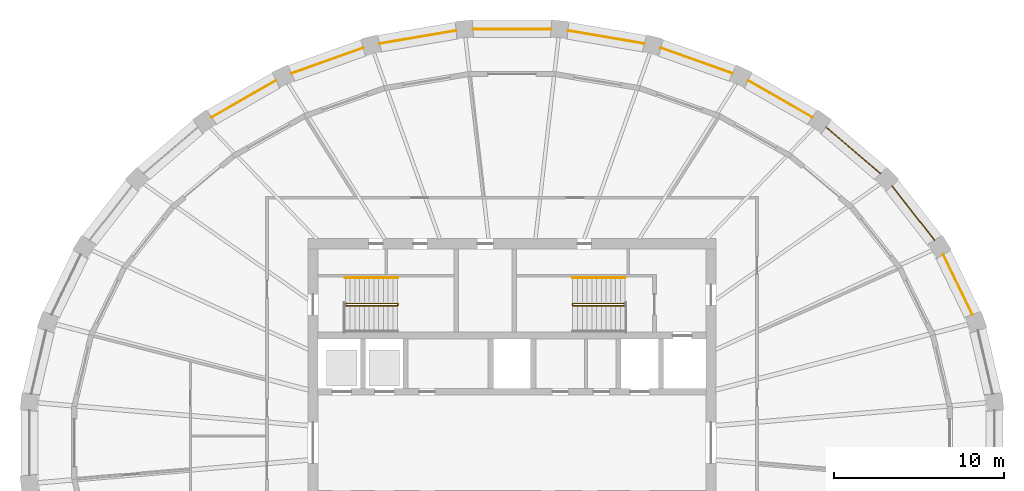
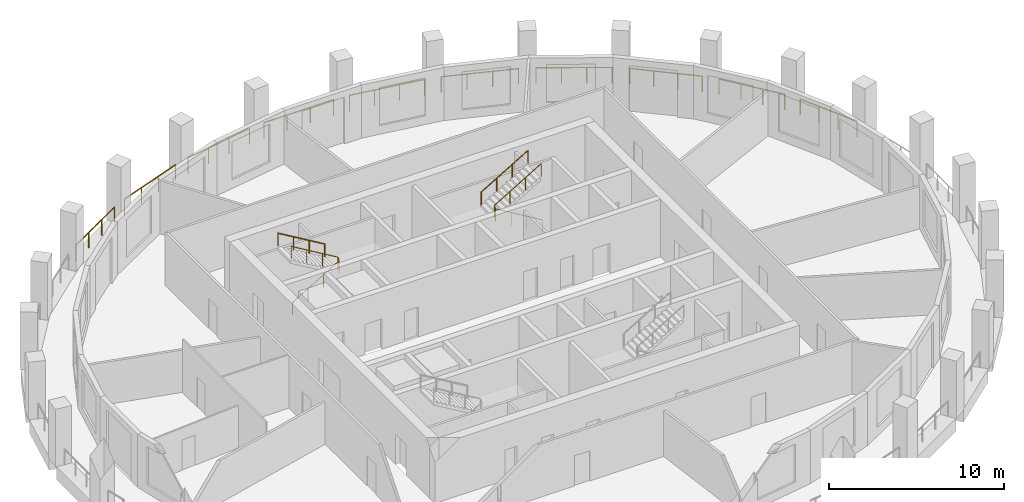
# One storey, part 9 of 10: 14 railings.
"""IFC4 building model written with IfcOpenShell, lengths in metres."""

from ifc_helpers import new_model, si_unit, direction, frame, origin, origin_2d, place, context, subcontext, project, spatial, circle, extrude, material, type_object, element, save


model = new_model("IFC4")

# Units and contexts
model_context = context("Model", 3, precision=1e-05, world=origin(), true_north=direction((0.0, 1.0)))
body_context = subcontext(model_context, "Body", "Model", "MODEL_VIEW")
ifc_project = project(units=[si_unit("LENGTHUNIT", "METRE"), si_unit("AREAUNIT", "SQUARE_METRE"), si_unit("VOLUMEUNIT", "CUBIC_METRE"), si_unit("PLANEANGLEUNIT", "RADIAN"), si_unit("MASSUNIT", "GRAM", prefix="KILO")], contexts=[model_context])

# Site, building, storey
site_placement = place(None, origin())
site = spatial("IfcSite", under=ifc_project, at=site_placement, CompositionType="ELEMENT")
building_placement = place(site_placement, origin())
building = spatial("IfcBuilding", under=site, at=building_placement, Name="Halqa Exchange Tower", CompositionType="ELEMENT")
storey_placement = place(building_placement, frame((0.0, 0.0, 320.300048828125)))
storey = spatial("IfcBuildingStorey", under=building, at=storey_placement, Name="L75", CompositionType="ELEMENT", Elevation=320.300048828125)

# Railings
ifc_material = material(Name="Stainless steel", Category="steel")
railing_type_1 = type_object("IfcRailingType", Name="Guard 1100 stainless steel", PredefinedType="GUARDRAIL", material=ifc_material)
railing_1_placement = place(storey_placement, frame((27.055419921875, 7.54150390625, 0.0)))
element("IfcRailing", 1, at=railing_1_placement, inside=storey, type_object=railing_type_1, Name="Loggia guard 2", PredefinedType="GUARDRAIL", context=body_context, shape_type="SweptSolid", body=[
    extrude(circle(Radius=0.02392578125, at=origin_2d()), frame((0.0, 0.0, 1.076171875), z_axis=(-0.435146748862, 0.900359543158, 0.0), x_axis=(-0.900359543158, -0.435146748862, 0.0)), (0.0, 0.0, 1.0), 3.913818359375),
    extrude(circle(Radius=0.02099609375, at=origin_2d()), origin(), (0.0, 0.0, 1.0), 1.052001953125),
    extrude(circle(Radius=0.02099609375, at=origin_2d()), frame((-0.567626953125, 1.174560546875, 0.0)), (0.0, 0.0, 1.0), 1.052001953125),
    extrude(circle(Radius=0.02099609375, at=origin_2d()), frame((-1.135498046875, 2.349365234375, 0.0)), (0.0, 0.0, 1.0), 1.052001953125),
    extrude(circle(Radius=0.02099609375, at=origin_2d()), frame((-1.703125, 3.52392578125, 0.0)), (0.0, 0.0, 1.0), 1.052001953125),
])
railing_2_placement = place(storey_placement, frame((24.827392578125, 11.909912109375, 0.0)))
element("IfcRailing", 2, at=railing_2_placement, inside=storey, type_object=railing_type_1, Name="Loggia guard 3", PredefinedType="GUARDRAIL", context=body_context, shape_type="SweptSolid", body=[
    extrude(circle(Radius=0.02392578125, at=origin_2d()), frame((0.0, 0.0, 1.076171875), z_axis=(-0.614821078368, 0.788666622594, 0.0), x_axis=(-0.788666622594, -0.614821078368, 0.0)), (0.0, 0.0, 1.0), 4.048828125),
    extrude(circle(Radius=0.02099609375, at=origin_2d()), origin(), (0.0, 0.0, 1.0), 1.052001953125),
    extrude(circle(Radius=0.02099609375, at=origin_2d()), frame((-0.829833984375, 1.064453125, 0.0)), (0.0, 0.0, 1.0), 1.052001953125),
    extrude(circle(Radius=0.02099609375, at=origin_2d()), frame((-1.659423828125, 2.128662109375, 0.0)), (0.0, 0.0, 1.0), 1.052001953125),
    extrude(circle(Radius=0.02099609375, at=origin_2d()), frame((-2.4892578125, 3.193115234375, 0.0)), (0.0, 0.0, 1.0), 1.052001953125),
])
railing_3_placement = place(storey_placement, frame((21.651123046875, 15.82275390625, 0.0)))
element("IfcRailing", 3, at=railing_3_placement, inside=storey, type_object=railing_type_1, Name="Loggia guard 4", PredefinedType="GUARDRAIL", context=body_context, shape_type="SweptSolid", body=[
    extrude(circle(Radius=0.02392578125, at=origin_2d()), frame((0.0, 0.0, 1.076171875), z_axis=(-0.75927300229, 0.650772239723, 0.0), x_axis=(-0.650772239723, -0.75927300229, 0.0)), (0.0, 0.0, 1.0), 4.203125),
    extrude(circle(Radius=0.02099609375, at=origin_2d()), origin(), (0.0, 0.0, 1.0), 1.052001953125),
    extrude(circle(Radius=0.02099609375, at=origin_2d()), frame((-1.063720703125, 0.911865234375, 0.0)), (0.0, 0.0, 1.0), 1.052001953125),
    extrude(circle(Radius=0.02099609375, at=origin_2d()), frame((-2.127685546875, 1.823486328125, 0.0)), (0.0, 0.0, 1.0), 1.052001953125),
    extrude(circle(Radius=0.02099609375, at=origin_2d()), frame((-3.19140625, 2.7353515625, 0.0)), (0.0, 0.0, 1.0), 1.052001953125),
])
railing_4_placement = place(storey_placement, frame((17.646240234375, 19.132080078125, 0.0)))
element("IfcRailing", 4, at=railing_4_placement, inside=storey, type_object=railing_type_1, Name="Loggia guard 5", PredefinedType="GUARDRAIL", context=body_context, shape_type="SweptSolid", body=[
    extrude(circle(Radius=0.02392578125, at=origin_2d()), frame((0.0, 0.0, 1.076171875), z_axis=(-0.867752650497, 0.496996315434, 0.0), x_axis=(-0.496996315434, -0.867752650497, 0.0)), (0.0, 0.0, 1.0), 4.353271484375),
    extrude(circle(Radius=0.02099609375, at=origin_2d()), origin(), (0.0, 0.0, 1.0), 1.052001953125),
    extrude(circle(Radius=0.02099609375, at=origin_2d()), frame((-1.25927734375, 0.72119140625, 0.0)), (0.0, 0.0, 1.0), 1.052001953125),
    extrude(circle(Radius=0.02099609375, at=origin_2d()), frame((-2.518310546875, 1.4423828125, 0.0)), (0.0, 0.0, 1.0), 1.052001953125),
    extrude(circle(Radius=0.02099609375, at=origin_2d()), frame((-3.777587890625, 2.16357421875, 0.0)), (0.0, 0.0, 1.0), 1.052001953125),
])
railing_5_placement = place(storey_placement, frame((12.963623046875, 21.71142578125, 0.0)))
element("IfcRailing", 5, at=railing_5_placement, inside=storey, type_object=railing_type_1, Name="Loggia guard 6", PredefinedType="GUARDRAIL", context=body_context, shape_type="SweptSolid", body=[
    extrude(circle(Radius=0.02392578125, at=origin_2d()), frame((0.0, 0.0, 1.076171875), z_axis=(-0.942364531835, 0.334587939321, 0.0), x_axis=(-0.334587939321, -0.942364531835, 0.0)), (0.0, 0.0, 1.0), 4.477294921875),
    extrude(circle(Radius=0.02099609375, at=origin_2d()), origin(), (0.0, 0.0, 1.0), 1.052001953125),
    extrude(circle(Radius=0.02099609375, at=origin_2d()), frame((-1.406494140625, 0.499267578125, 0.0)), (0.0, 0.0, 1.0), 1.052001953125),
    extrude(circle(Radius=0.02099609375, at=origin_2d()), frame((-2.812744140625, 0.998779296875, 0.0)), (0.0, 0.0, 1.0), 1.052001953125),
    extrude(circle(Radius=0.02099609375, at=origin_2d()), frame((-4.21923828125, 1.498046875, 0.0)), (0.0, 0.0, 1.0), 1.052001953125),
])
railing_6_placement = place(storey_placement, frame((7.7802734375, 23.460693359375, 0.0)))
element("IfcRailing", 6, at=railing_6_placement, inside=storey, type_object=railing_type_1, Name="Loggia guard 7", PredefinedType="GUARDRAIL", context=body_context, shape_type="SweptSolid", body=[
    extrude(circle(Radius=0.02392578125, at=origin_2d()), frame((0.0, 0.0, 1.076171875), z_axis=(-0.985768911013, 0.168106079843, 0.0), x_axis=(-0.168106079843, -0.985768911013, 0.0)), (0.0, 0.0, 1.0), 4.558837890625),
    extrude(circle(Radius=0.02099609375, at=origin_2d()), origin(), (0.0, 0.0, 1.0), 1.052001953125),
    extrude(circle(Radius=0.02099609375, at=origin_2d()), frame((-1.498046875, 0.25537109375, 0.0)), (0.0, 0.0, 1.0), 1.052001953125),
    extrude(circle(Radius=0.02099609375, at=origin_2d()), frame((-2.995849609375, 0.510986328125, 0.0)), (0.0, 0.0, 1.0), 1.052001953125),
    extrude(circle(Radius=0.02099609375, at=origin_2d()), frame((-4.493896484375, 0.766357421875, 0.0)), (0.0, 0.0, 1.0), 1.052001953125),
])
railing_7_placement = place(storey_placement, frame((2.29345703125, 24.31103515625, 0.0)))
element("IfcRailing", 7, at=railing_7_placement, inside=storey, type_object=railing_type_1, Name="Loggia guard 8", PredefinedType="GUARDRAIL", context=body_context, shape_type="SweptSolid", body=[
    extrude(circle(Radius=0.02392578125, at=origin_2d()), frame((0.0, 0.0, 1.076171875), z_axis=(-1.0, 0.0, 0.0), x_axis=(0.0, -1.0, 0.0)), (0.0, 0.0, 1.0), 4.5869140625),
    extrude(circle(Radius=0.02099609375, at=origin_2d()), origin(), (0.0, 0.0, 1.0), 1.052001953125),
    extrude(circle(Radius=0.02099609375, at=origin_2d()), frame((-1.529052734375, 0.0, 0.0)), (0.0, 0.0, 1.0), 1.052001953125),
    extrude(circle(Radius=0.02099609375, at=origin_2d()), frame((-3.057861328125, 0.0, 0.0)), (0.0, 0.0, 1.0), 1.052001953125),
    extrude(circle(Radius=0.02099609375, at=origin_2d()), frame((-4.5869140625, 0.0, 0.0)), (0.0, 0.0, 1.0), 1.052001953125),
])
railing_8_placement = place(storey_placement, frame((-3.286376953125, 24.22705078125, 0.0)))
element("IfcRailing", 8, at=railing_8_placement, inside=storey, type_object=railing_type_1, Name="Loggia guard 9", PredefinedType="GUARDRAIL", context=body_context, shape_type="SweptSolid", body=[
    extrude(circle(Radius=0.02392578125, at=origin_2d()), frame((0.0, 0.0, 1.076171875), z_axis=(-0.985768911013, -0.168106079843, 0.0), x_axis=(0.168106079843, -0.985768911013, 0.0)), (0.0, 0.0, 1.0), 4.558837890625),
    extrude(circle(Radius=0.02099609375, at=origin_2d()), origin(), (0.0, 0.0, 1.0), 1.052001953125),
    extrude(circle(Radius=0.02099609375, at=origin_2d()), frame((-1.498046875, -0.25537109375, 0.0)), (0.0, 0.0, 1.0), 1.052001953125),
    extrude(circle(Radius=0.02099609375, at=origin_2d()), frame((-2.995849609375, -0.510986328125, 0.0)), (0.0, 0.0, 1.0), 1.052001953125),
    extrude(circle(Radius=0.02099609375, at=origin_2d()), frame((-4.493896484375, -0.766357421875, 0.0)), (0.0, 0.0, 1.0), 1.052001953125),
])
railing_9_placement = place(storey_placement, frame((-8.744384765625, 23.20947265625, 0.0)))
element("IfcRailing", 9, at=railing_9_placement, inside=storey, type_object=railing_type_1, Name="Loggia guard 10", PredefinedType="GUARDRAIL", context=body_context, shape_type="SweptSolid", body=[
    extrude(circle(Radius=0.02392578125, at=origin_2d()), frame((0.0, 0.0, 1.076171875), z_axis=(-0.942364531835, -0.334587939321, 0.0), x_axis=(0.334587939321, -0.942364531835, 0.0)), (0.0, 0.0, 1.0), 4.477294921875),
    extrude(circle(Radius=0.02099609375, at=origin_2d()), origin(), (0.0, 0.0, 1.0), 1.052001953125),
    extrude(circle(Radius=0.02099609375, at=origin_2d()), frame((-1.406494140625, -0.499267578125, 0.0)), (0.0, 0.0, 1.0), 1.052001953125),
    extrude(circle(Radius=0.02099609375, at=origin_2d()), frame((-2.812744140625, -0.998779296875, 0.0)), (0.0, 0.0, 1.0), 1.052001953125),
    extrude(circle(Radius=0.02099609375, at=origin_2d()), frame((-4.21923828125, -1.498046875, 0.0)), (0.0, 0.0, 1.0), 1.052001953125),
])
railing_10_placement = place(storey_placement, frame((-13.86865234375, 21.295654296875, 0.0)))
element("IfcRailing", 10, at=railing_10_placement, inside=storey, type_object=railing_type_1, Name="Loggia guard 11", PredefinedType="GUARDRAIL", context=body_context, shape_type="SweptSolid", body=[
    extrude(circle(Radius=0.02392578125, at=origin_2d()), frame((0.0, 0.0, 1.076171875), z_axis=(-0.867752650497, -0.496996315434, 0.0), x_axis=(0.496996315434, -0.867752650497, 0.0)), (0.0, 0.0, 1.0), 4.353271484375),
    extrude(circle(Radius=0.02099609375, at=origin_2d()), origin(), (0.0, 0.0, 1.0), 1.052001953125),
    extrude(circle(Radius=0.02099609375, at=origin_2d()), frame((-1.25927734375, -0.72119140625, 0.0)), (0.0, 0.0, 1.0), 1.052001953125),
    extrude(circle(Radius=0.02099609375, at=origin_2d()), frame((-2.518310546875, -1.4423828125, 0.0)), (0.0, 0.0, 1.0), 1.052001953125),
    extrude(circle(Radius=0.02099609375, at=origin_2d()), frame((-3.777587890625, -2.16357421875, 0.0)), (0.0, 0.0, 1.0), 1.052001953125),
])
railing_type_2 = type_object("IfcRailingType", Name="Stair handrail 900", PredefinedType="HANDRAIL", material=ifc_material)
railing_11_placement = place(storey_placement, frame((-9.800048828125, 8.06005859375, 0.166748046875)))
element("IfcRailing", 11, at=railing_11_placement, inside=storey, type_object=railing_type_2, Name="Handrail ST1.1", PredefinedType="HANDRAIL", context=body_context, shape_type="SweptSolid", body=[
    extrude(circle(Radius=0.02392578125, at=origin_2d()), frame((0.0, 0.0, 0.8759765625), z_axis=(0.859308565015, 0.0, 0.511457515432), x_axis=(0.0, 1.0, 0.0)), (0.0, 0.0, 1.0), 3.58447265625),
    extrude(circle(Radius=0.02392578125, at=origin_2d()), frame((3.080078125, 0.0, 2.708984375), z_axis=(0.0, 0.614500226555, 0.788916644243), x_axis=(-1.0, 0.0, 0.0)), (0.0, 0.0, 1.0), 0.21142578125),
    extrude(circle(Radius=0.02392578125, at=origin_2d()), frame((3.080078125, 0.1298828125, 2.8759765625), z_axis=(-0.859308565015, 0.0, 0.511457515432), x_axis=(0.0, -1.0, 0.0)), (0.0, 0.0, 1.0), 3.58447265625),
    extrude(circle(Radius=0.02099609375, at=origin_2d()), origin(), (0.0, 0.0, 1.0), 0.851806640625),
    extrude(circle(Radius=0.02099609375, at=origin_2d()), frame((1.026611328125, 0.0, 0.611083984375)), (0.0, 0.0, 1.0), 0.851806640625),
    extrude(circle(Radius=0.02099609375, at=origin_2d()), frame((2.053466796875, 0.0, 1.22216796875)), (0.0, 0.0, 1.0), 0.851806640625),
    extrude(circle(Radius=0.02099609375, at=origin_2d()), frame((3.080078125, 0.0, 1.833251953125)), (0.0, 0.0, 1.0), 0.851806640625),
    extrude(circle(Radius=0.02099609375, at=origin_2d()), frame((3.080078125, 0.1298828125, 2.0)), (0.0, 0.0, 1.0), 0.851806640625),
    extrude(circle(Radius=0.02099609375, at=origin_2d()), frame((2.053466796875, 0.1298828125, 2.611083984375)), (0.0, 0.0, 1.0), 0.851806640625),
    extrude(circle(Radius=0.02099609375, at=origin_2d()), frame((1.026611328125, 0.1298828125, 3.22216796875)), (0.0, 0.0, 1.0), 0.851806640625),
    extrude(circle(Radius=0.02099609375, at=origin_2d()), frame((0.0, 0.1298828125, 3.833251953125)), (0.0, 0.0, 1.0), 0.851806640625),
])
railing_12_placement = place(storey_placement, frame((-6.719970703125, 9.699951171875, 2.166748046875)))
element("IfcRailing", 12, at=railing_12_placement, inside=storey, type_object=railing_type_2, Name="Handrail ST1.3", PredefinedType="HANDRAIL", context=body_context, shape_type="SweptSolid", body=[
    extrude(circle(Radius=0.02392578125, at=origin_2d()), frame((0.0, 0.0, 0.8759765625), z_axis=(-0.859308565015, 0.0, 0.511457515432), x_axis=(0.0, -1.0, 0.0)), (0.0, 0.0, 1.0), 3.58447265625),
    extrude(circle(Radius=0.02099609375, at=origin_2d()), origin(), (0.0, 0.0, 1.0), 0.851806640625),
    extrude(circle(Radius=0.02099609375, at=origin_2d()), frame((-1.026611328125, 0.0, 0.611083984375)), (0.0, 0.0, 1.0), 0.851806640625),
    extrude(circle(Radius=0.02099609375, at=origin_2d()), frame((-2.053466796875, 0.0, 1.22216796875)), (0.0, 0.0, 1.0), 0.851806640625),
    extrude(circle(Radius=0.02099609375, at=origin_2d()), frame((-3.080078125, 0.0, 1.833251953125)), (0.0, 0.0, 1.0), 0.851806640625),
])
railing_13_placement = place(storey_placement, frame((6.64990234375, 8.06005859375, 0.166748046875)))
element("IfcRailing", 13, at=railing_13_placement, inside=storey, type_object=railing_type_2, Name="Handrail ST2.1", PredefinedType="HANDRAIL", context=body_context, shape_type="SweptSolid", body=[
    extrude(circle(Radius=0.02392578125, at=origin_2d()), frame((0.0, 0.0, 0.8759765625), z_axis=(-0.859290745958, 0.0, 0.51148745235), x_axis=(0.0, -1.0, 0.0)), (0.0, 0.0, 1.0), 3.584228515625),
    extrude(circle(Radius=0.02392578125, at=origin_2d()), frame((-3.079833984375, 0.0, 2.708984375), z_axis=(0.0, 0.614500226555, 0.788916644243), x_axis=(-1.0, 0.0, 0.0)), (0.0, 0.0, 1.0), 0.21142578125),
    extrude(circle(Radius=0.02392578125, at=origin_2d()), frame((-3.079833984375, 0.1298828125, 2.8759765625), z_axis=(0.859290745958, 0.0, 0.51148745235), x_axis=(0.0, 1.0, 0.0)), (0.0, 0.0, 1.0), 3.584228515625),
    extrude(circle(Radius=0.02099609375, at=origin_2d()), origin(), (0.0, 0.0, 1.0), 0.851806640625),
    extrude(circle(Radius=0.02099609375, at=origin_2d()), frame((-1.026611328125, 0.0, 0.611083984375)), (0.0, 0.0, 1.0), 0.851806640625),
    extrude(circle(Radius=0.02099609375, at=origin_2d()), frame((-2.05322265625, 0.0, 1.22216796875)), (0.0, 0.0, 1.0), 0.851806640625),
    extrude(circle(Radius=0.02099609375, at=origin_2d()), frame((-3.079833984375, 0.0, 1.833251953125)), (0.0, 0.0, 1.0), 0.851806640625),
    extrude(circle(Radius=0.02099609375, at=origin_2d()), frame((-3.079833984375, 0.1298828125, 2.0)), (0.0, 0.0, 1.0), 0.851806640625),
    extrude(circle(Radius=0.02099609375, at=origin_2d()), frame((-2.05322265625, 0.1298828125, 2.611083984375)), (0.0, 0.0, 1.0), 0.851806640625),
    extrude(circle(Radius=0.02099609375, at=origin_2d()), frame((-1.026611328125, 0.1298828125, 3.22216796875)), (0.0, 0.0, 1.0), 0.851806640625),
    extrude(circle(Radius=0.02099609375, at=origin_2d()), frame((0.0, 0.1298828125, 3.833251953125)), (0.0, 0.0, 1.0), 0.851806640625),
])
railing_14_placement = place(storey_placement, frame((3.570068359375, 9.699951171875, 2.166748046875)))
element("IfcRailing", 14, at=railing_14_placement, inside=storey, type_object=railing_type_2, Name="Handrail ST2.3", PredefinedType="HANDRAIL", context=body_context, shape_type="SweptSolid", body=[
    extrude(circle(Radius=0.02392578125, at=origin_2d()), frame((0.0, 0.0, 0.8759765625), z_axis=(0.859290745958, 0.0, 0.51148745235), x_axis=(0.0, 1.0, 0.0)), (0.0, 0.0, 1.0), 3.584228515625),
    extrude(circle(Radius=0.02099609375, at=origin_2d()), origin(), (0.0, 0.0, 1.0), 0.851806640625),
    extrude(circle(Radius=0.02099609375, at=origin_2d()), frame((1.026611328125, 0.0, 0.611083984375)), (0.0, 0.0, 1.0), 0.851806640625),
    extrude(circle(Radius=0.02099609375, at=origin_2d()), frame((2.05322265625, 0.0, 1.22216796875)), (0.0, 0.0, 1.0), 0.851806640625),
    extrude(circle(Radius=0.02099609375, at=origin_2d()), frame((3.079833984375, 0.0, 1.833251953125)), (0.0, 0.0, 1.0), 0.851806640625),
])

save(model, "model.ifc")
